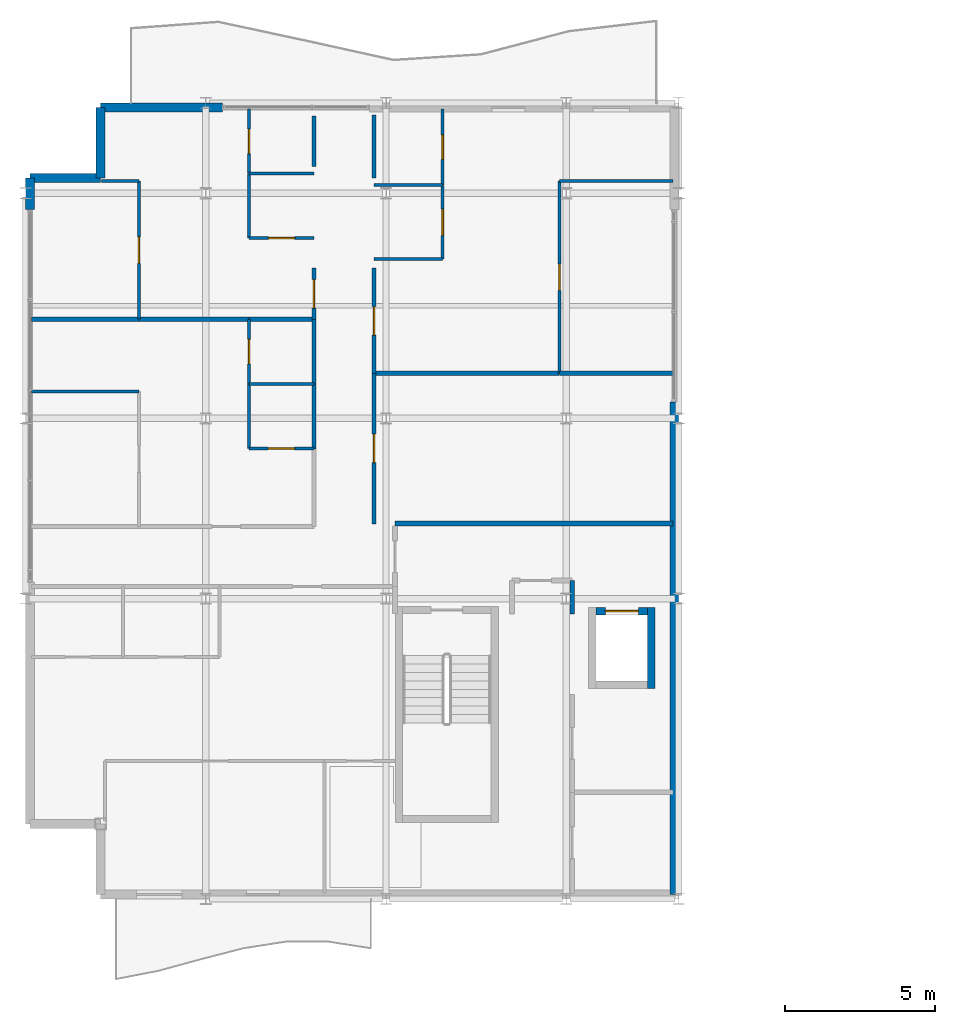
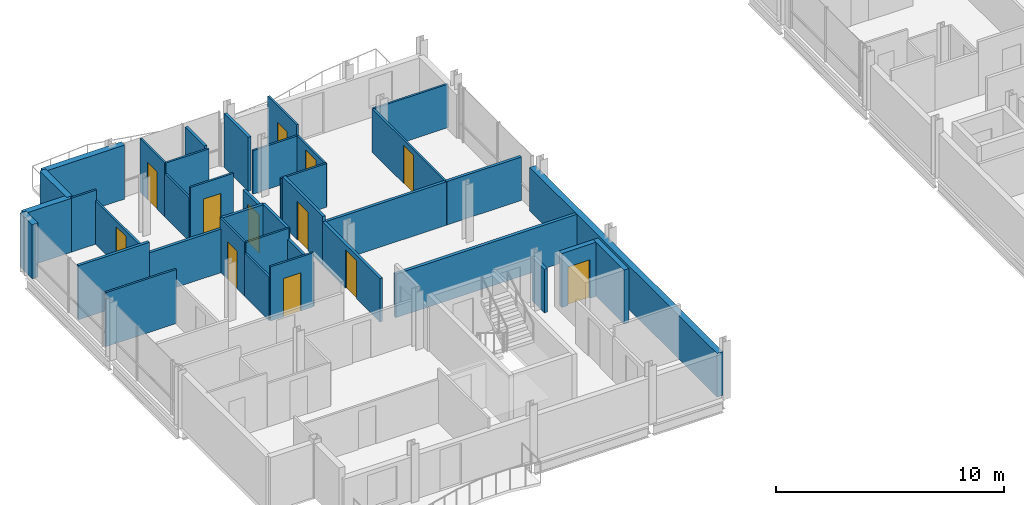
# One storey, part 24 of 29: 38 walls, 12 doors, 12 openings.
"""IFC4 building model written with IfcOpenShell, lengths in metres."""

import ifcopenshell
import ifcopenshell.guid

model = None  # the IFC model being written
_history = None  # IfcOwnerHistory: only IFC2X3 demands one
_inside = {}  # id of a spatial element -> (the spatial element, [elements in it])
_under = {}  # id of a project, library or spatial element -> (it, [spatial elements below it])
_declared = {}  # id of a project -> (the project, [libraries it declares])
_typed = {}  # id of a type object -> (the type object, [elements of that type])
_made_of = {}  # id of a material, layer set ... -> (it, [elements and type objects made of it])


def new_model(schema):
    """Start an empty IFC model of exactly this schema.

    Asked for "IFC4X3", IfcOpenShell would pick the latest addendum, in which some entities
    have other attributes; the version numbers below select the first issue.
    IFC2X3 requires an IfcOwnerHistory on every rooted entity: one is made here for all.
    """
    global model, _history
    if schema == "IFC4X3":
        model = ifcopenshell.file(schema_version=(4, 3, 0, 0))
    else:
        model = ifcopenshell.file(schema=schema)
    _inside.clear()
    _under.clear()
    _declared.clear()
    _typed.clear()
    _made_of.clear()
    _history = None
    if model.schema == "IFC2X3":
        org = make("IfcOrganization", Name="unknown")
        user = make(
            "IfcPersonAndOrganization",
            ThePerson=make("IfcPerson", FamilyName="unknown"),
            TheOrganization=org,
        )
        app = make(
            "IfcApplication",
            ApplicationDeveloper=org,
            Version="unknown",
            ApplicationFullName="unknown",
            ApplicationIdentifier="unknown",
        )
        _history = make(
            "IfcOwnerHistory",
            OwningUser=user,
            OwningApplication=app,
            ChangeAction="ADDED",
            CreationDate=0,
        )
    return model


def make(cls, **values):
    """One entity of the class cls with the attributes given. An attribute that is None is left unset."""
    return model.create_entity(
        cls, **{name: value for name, value in values.items() if value is not None}
    )


def rooted(cls, **values):
    """An entity with a GlobalId (a new one), such as an element, a storey or a relation."""
    return make(cls, GlobalId=ifcopenshell.guid.new(), OwnerHistory=_history, **values)


def si_unit(unit_type, name, prefix=None):
    """IfcSIUnit, for example si_unit("LENGTHUNIT", "METRE", prefix="MILLI")."""
    return make("IfcSIUnit", UnitType=unit_type, Prefix=prefix, Name=name)


def assignment(units):
    """IfcUnitAssignment: the units of a project."""
    return None if units is None else make("IfcUnitAssignment", Units=units)


def point(xyz):
    """IfcCartesianPoint."""
    return None if xyz is None else make("IfcCartesianPoint", Coordinates=xyz)


def direction(xyz):
    """IfcDirection."""
    return None if xyz is None else make("IfcDirection", DirectionRatios=xyz)


def frame(location, z_axis=None, x_axis=None):
    """IfcAxis2Placement3D, a coordinate frame: its origin and axes. An axis left out is left unset."""
    return make(
        "IfcAxis2Placement3D",
        Location=point(location),
        Axis=direction(z_axis),
        RefDirection=direction(x_axis),
    )


def frame_2d(location, x_axis=None):
    """IfcAxis2Placement2D, a coordinate frame in the plane: its origin and x axis."""
    return make(
        "IfcAxis2Placement2D", Location=point(location), RefDirection=direction(x_axis)
    )


def origin():
    """The frame at (0, 0, 0) with its axes left unset."""
    return frame((0.0, 0.0, 0.0))


def place(relative_to, where):
    """IfcLocalPlacement: puts the frame where relative to a parent placement (None: the world)."""
    return make(
        "IfcLocalPlacement", PlacementRelTo=relative_to, RelativePlacement=where
    )


def context(
    kind, dimensions, precision=None, world=None, true_north=None, identifier=None
):
    """IfcGeometricRepresentationContext, for example the 3D "Model" context."""
    return make(
        "IfcGeometricRepresentationContext",
        ContextIdentifier=identifier,
        ContextType=kind,
        CoordinateSpaceDimension=dimensions,
        Precision=precision,
        WorldCoordinateSystem=world,
        TrueNorth=true_north,
    )


def subcontext(parent, identifier, kind, view, scale=None):
    """IfcGeometricRepresentationSubContext, for example "Body" below "Model"."""
    return make(
        "IfcGeometricRepresentationSubContext",
        ContextIdentifier=identifier,
        ContextType=kind,
        ParentContext=parent,
        TargetScale=scale,
        TargetView=view,
    )


def project(units=None, contexts=None):
    """IfcProject with its units and contexts."""
    return rooted(
        "IfcProject",
        Name="project",
        RepresentationContexts=contexts,
        UnitsInContext=assignment(units),
    )


def spatial(cls, under=None, at=None, **own):
    """A site, building, storey or space (cls), placed at a placement, below another one or the project."""
    s = rooted(cls, ObjectPlacement=at, **own)
    if under is not None:
        _under.setdefault(under.id(), (under, []))[1].append(s)
    return s


def profile(cls, at=None, kind="AREA", **sizes):
    """A parametric profile (cls). Its sizes go by their IFC names, for example OverallWidth=200.0."""
    return make(cls, ProfileType=kind, Position=at, **sizes)


def rectangle(**sizes):
    """IfcRectangleProfileDef."""
    return profile("IfcRectangleProfileDef", **sizes)


def extrude(swept, where, along, depth):
    """IfcExtrudedAreaSolid: the profile swept, set in the frame where, extruded along a direction by depth."""
    return make(
        "IfcExtrudedAreaSolid",
        SweptArea=swept,
        Position=where,
        ExtrudedDirection=direction(along),
        Depth=depth,
    )


def shape(context_of_items, identifier, shape_type, items):
    """IfcShapeRepresentation: the items that make up one representation, for example the "Body"."""
    return make(
        "IfcShapeRepresentation",
        ContextOfItems=context_of_items,
        RepresentationIdentifier=identifier,
        RepresentationType=shape_type,
        Items=items,
    )


def material(Name=None, Category=None):
    """IfcMaterial."""
    return make("IfcMaterial", Name=Name, Category=Category)


def layer(
    of_material, thickness, ventilated=None, Name=None, Category=None, Priority=None
):
    """IfcMaterialLayer: one layer of a wall or slab, of a material (None: an air gap)."""
    return make(
        "IfcMaterialLayer",
        Material=of_material,
        LayerThickness=thickness,
        IsVentilated=ventilated,
        Name=Name,
        Category=Category,
        Priority=Priority,
    )


def layer_set(layers, Name=None):
    """IfcMaterialLayerSet."""
    return make("IfcMaterialLayerSet", MaterialLayers=layers, LayerSetName=Name)


def made_of(thing, what):
    """Note that an element or type object is made of a material, layer set ...; save() writes the relation."""
    if what is not None:
        _made_of.setdefault(what.id(), (what, []))[1].append(thing)
    return thing


def type_object(cls, material=None, **own):
    """A type object (cls), such as IfcWallType, which elements share."""
    return made_of(rooted(cls, **own), material)


def element(
    cls,
    number,
    at=None,
    inside=None,
    cuts=None,
    type_object=None,
    material=None,
    context=None,
    identifier="Body",
    shape_type=None,
    held_by="IfcProductDefinitionShape",
    body=None,
    shapes=None,
    **own,
):
    """One element of the class cls, such as IfcWall. Its Tag is "e" and its number.

    at: its placement. inside: the storey or other place that contains it. cuts: it is an
    opening in that element (IfcRelVoidsElement). A single representation is given by context,
    identifier, shape_type and body (its items); several are given by shapes. held_by: the class
    of the entity that holds the representations. save() writes the other relations.
    """
    e = rooted(cls, Tag="e%d" % number, ObjectPlacement=at, **own)
    if body is not None:
        shapes = [shape(context, identifier, shape_type, body)]
    if shapes is not None:
        e.Representation = make(held_by, Representations=shapes)
    if inside is not None:
        _inside.setdefault(inside.id(), (inside, []))[1].append(e)
    if cuts is not None:
        rooted(
            "IfcRelVoidsElement", RelatingBuildingElement=cuts, RelatedOpeningElement=e
        )
    if type_object is not None:
        _typed.setdefault(type_object.id(), (type_object, []))[1].append(e)
    return made_of(e, material)


def fill(opening, filler):
    """IfcRelFillsElement: the door or window that sits in an opening."""
    return rooted(
        "IfcRelFillsElement",
        RelatingOpeningElement=opening,
        RelatedBuildingElement=filler,
    )


def aggregate(whole, parts):
    """IfcRelAggregates: a whole, such as a stair, and the parts it consists of."""
    return rooted("IfcRelAggregates", RelatingObject=whole, RelatedObjects=parts)


def save(model, path):
    """Write the relations noted so far, then the file.

    IfcRelAggregates (storeys below a building ...), IfcRelContainedInSpatialStructure (elements
    in a storey), IfcRelDefinesByType, IfcRelAssociatesMaterial and IfcRelDeclares: one each for
    every whole, place, type object, material and project.
    """
    for whole, parts in _under.values():
        aggregate(whole, parts)
    for where, things in _inside.values():
        rooted(
            "IfcRelContainedInSpatialStructure",
            RelatedElements=things,
            RelatingStructure=where,
        )
    for kind, things in _typed.values():
        rooted("IfcRelDefinesByType", RelatedObjects=things, RelatingType=kind)
    for what, things in _made_of.values():
        rooted("IfcRelAssociatesMaterial", RelatedObjects=things, RelatingMaterial=what)
    for by, libraries in _declared.values():
        rooted("IfcRelDeclares", RelatingContext=by, RelatedDefinitions=libraries)
    model.write(path)


model = new_model("IFC4")

# Units and contexts
model_context = context("Model", 3, precision=1e-05, world=origin(), true_north=direction((0.0, 1.0)))
body_context = subcontext(model_context, "Body", "Model", "MODEL_VIEW")
ifc_project = project(units=[si_unit("LENGTHUNIT", "METRE"), si_unit("AREAUNIT", "SQUARE_METRE"), si_unit("VOLUMEUNIT", "CUBIC_METRE"), si_unit("PLANEANGLEUNIT", "RADIAN"), si_unit("MASSUNIT", "GRAM", prefix="KILO")], contexts=[model_context])

# Site, building, storey
site_placement = place(None, origin())
site = spatial("IfcSite", under=ifc_project, at=site_placement, CompositionType="ELEMENT")
building_placement = place(site_placement, origin())
building = spatial("IfcBuilding", under=site, at=building_placement, Name="Brevholm Reach", CompositionType="ELEMENT")
storey_placement = place(building_placement, frame((0.0, 0.0, 201.800048828125)))
storey = spatial("IfcBuildingStorey", under=building, at=storey_placement, Name="L61", CompositionType="ELEMENT", Elevation=201.800048828125)

# Wall
ifc_material_1 = material(Name="Concrete C45/55", Category="concrete")
ifc_layer_1 = layer(ifc_material_1, 0.239990234375)
ifc_layer_set_1 = layer_set([ifc_layer_1], Name="Concrete C45/55")
wall_type_1 = type_object("IfcWallType", Name="WAL-COR-240", PredefinedType="SHEAR", material=ifc_layer_set_1)
wall_1_placement = place(storey_placement, frame((20.830078125, 7.0, 0.0), z_axis=(0.0, 0.0, 1.0), x_axis=(0.0, 1.0, 0.0)))
element("IfcWall", 1, at=wall_1_placement, inside=storey, type_object=wall_type_1, Name="L61 Lift FFL-1 Shaft Wall E", PredefinedType="SHEAR", context=body_context, shape_type="SweptSolid", body=[
    extrude(rectangle(XDim=2.699951171875, YDim=0.239990234375, at=frame_2d((1.35009765625, 0.0))), origin(), (0.0, 0.0, 1.0), 2.889892578125),
])

# Wall, opening, door
wall_2_placement = place(storey_placement, frame((18.989990234375, 9.580078125, 0.0), z_axis=(0.0, 0.0, 1.0), x_axis=(1.0, 0.0, 0.0)))
wall_2 = element("IfcWall", 2, at=wall_2_placement, inside=storey, type_object=wall_type_1, Name="L61 Lift FFL-1 Shaft Wall N", PredefinedType="SHEAR", context=body_context, shape_type="SweptSolid", body=[
    extrude(rectangle(XDim=1.719970703125, YDim=0.239990234375, at=frame_2d((0.85986328125, 0.0))), origin(), (0.0, 0.0, 1.0), 2.889892578125),
])
opening_1_placement = place(wall_2_placement, frame((0.31005859375, 0.0, 0.0)))
opening_1 = element("IfcOpeningElement", 3, at=opening_1_placement, cuts=wall_2, Name="Opening LD-FFL-1", PredefinedType="OPENING", context=body_context, shape_type="SweptSolid", body=[
    extrude(rectangle(XDim=1.10009765625, YDim=2.06005859375, at=frame_2d((0.550048828125, 1.030029296875))), frame((0.0, 0.1298828125, 0.0), z_axis=(0.0, -1.0, 0.0), x_axis=(1.0, 0.0, 0.0)), (0.0, 0.0, 1.0), 0.260009765625),
])
ifc_material_2 = material(Name="Brushed Stainless Steel Fire-Rated Sliding Lift Door", Category="steel")
door_type_1 = type_object("IfcDoorType", Name="DOR-LFT-1100", OperationType="NOTDEFINED", PredefinedType="DOOR", material=ifc_material_2)
door_1_placement = place(opening_1_placement, origin())
door_1 = element("IfcDoor", 4, at=door_1_placement, inside=storey, type_object=door_type_1, Name="L61 Lift FFL-1 Sliding Landing Door", OperationType="SLIDING_TO_LEFT", OverallHeight=2.06005859375, OverallWidth=1.10009765625, PredefinedType="DOOR", context=body_context, shape_type="SweptSolid", body=[
    extrude(rectangle(XDim=1.10009765625, YDim=2.06005859375, at=frame_2d((0.550048828125, 1.030029296875))), frame((0.0, 0.02490234375, 0.0), z_axis=(0.0, -1.0, 0.0), x_axis=(1.0, 0.0, 0.0)), (0.0, 0.0, 1.0), 0.050048828125),
])
fill(opening_1, door_1)

# Walls
ifc_material_3 = material(Name="Concrete C40/50", Category="concrete")
ifc_layer_2 = layer(ifc_material_3, 0.300048828125)
ifc_layer_set_2 = layer_set([ifc_layer_2], Name="Concrete C40/50")
wall_type_2 = type_object("IfcWallType", Name="WAL-EXT-300", PredefinedType="STANDARD", material=ifc_layer_set_2)
for number, where, z_axis, x_axis, name in (
    (5, (2.5, 26.35009765625, 0.0), (0.0, 0.0, 1.0), (0.0, -1.0, 0.0), "L61 Facade Wall WAL-L61-WW-CNW1"),
    (6, (2.5, 24.0, 0.0), (0.0, 0.0, 1.0), (-1.0, 0.0, 0.0), "L61 Facade Wall WAL-L61-WW-CNW2"),
):
    element("IfcWall", number, at=place(storey_placement, frame(where, z_axis=z_axis, x_axis=x_axis)), inside=storey, type_object=wall_type_2, Name=name, PredefinedType="STANDARD", context=body_context, shape_type="SweptSolid", body=[
        extrude(rectangle(XDim=2.35009765625, YDim=0.300048828125, at=frame_2d((1.175048828125, 0.0))), origin(), (0.0, 0.0, 1.0), 2.889892578125),
    ])
wall_3_placement = place(storey_placement, frame((0.14990234375, 24.0, 0.0), z_axis=(0.0, 0.0, 1.0), x_axis=(0.0, -1.0, 0.0)))
element("IfcWall", 7, at=wall_3_placement, inside=storey, type_object=wall_type_2, Name="L61 Facade Wall WAL-L61-WW-WN", PredefinedType="STANDARD", context=body_context, shape_type="SweptSolid", body=[
    extrude(rectangle(XDim=1.050048828125, YDim=0.300048828125, at=frame_2d((0.52490234375, 0.0))), origin(), (0.0, 0.0, 1.0), 2.889892578125),
])
wall_4_placement = place(storey_placement, frame((2.5, 26.35009765625, 0.0), z_axis=(0.0, 0.0, 1.0), x_axis=(1.0, 0.0, 0.0)))
element("IfcWall", 8, at=wall_4_placement, inside=storey, type_object=wall_type_2, Name="L61 Facade Wall WAL-L61-WW-NP1", PredefinedType="STANDARD", context=body_context, shape_type="SweptSolid", body=[
    extrude(rectangle(XDim=4.050048828125, YDim=0.300048828125, at=frame_2d((2.02490234375, 0.0))), origin(), (0.0, 0.0, 1.0), 2.889892578125),
])
wall_5_placement = place(storey_placement, frame((21.60009765625, 0.14990234375, 0.0), z_axis=(0.0, 0.0, 1.0), x_axis=(0.0, 1.0, 0.0)))
element("IfcWall", 9, at=wall_5_placement, inside=storey, type_object=wall_type_2, Name="L61 Facade Wall WAL-L61-VP-WS", PredefinedType="STANDARD", context=body_context, shape_type="SweptSolid", body=[
    extrude(rectangle(XDim=16.400146484375, YDim=0.300048828125, at=frame_2d((8.2001953125, 0.0))), origin(), (0.0, 0.0, 1.0), 2.331787109375),
])
ifc_material_4 = material(Name="Moisture-Resistant Acoustic Gypsum Stud Partition 100 mm", Category="gypsum")
ifc_layer_3 = layer(ifc_material_4, 0.10009765625)
ifc_layer_set_3 = layer_set([ifc_layer_3], Name="Moisture-Resistant Acoustic Gypsum Stud Partition 100 mm")
wall_type_3 = type_object("IfcWallType", Name="WAL-PRT-100", PredefinedType="PARTITIONING", material=ifc_layer_set_3)
wall_6_placement = place(storey_placement, frame((7.43798828125, 17.14990234375, 0.0), z_axis=(0.0, 0.0, 1.0), x_axis=(1.0, 0.0, 0.0)))
element("IfcWall", 10, at=wall_6_placement, inside=storey, type_object=wall_type_3, Name="L61 Internal Partition 047", PredefinedType="PARTITIONING", context=body_context, shape_type="SweptSolid", body=[
    extrude(rectangle(XDim=2.157958984375, YDim=0.10009765625, at=frame_2d((1.0791015625, 0.0))), origin(), (0.0, 0.0, 1.0), 2.889892578125),
])

# Wall, opening, door
wall_7_placement = place(storey_placement, frame((7.43798828125, 17.14990234375, 0.0), z_axis=(0.0, 0.0, 1.0), x_axis=(0.0, 1.0, 0.0)))
wall_7 = element("IfcWall", 11, at=wall_7_placement, inside=storey, type_object=wall_type_3, Name="L61 Internal Partition 048", PredefinedType="PARTITIONING", context=body_context, shape_type="SweptSolid", body=[
    extrude(rectangle(XDim=2.150146484375, YDim=0.10009765625, at=frame_2d((1.0751953125, 0.0))), origin(), (0.0, 0.0, 1.0), 2.889892578125),
])
opening_2_placement = place(wall_7_placement, frame((0.6650390625, 0.0, 0.0)))
opening_2 = element("IfcOpeningElement", 12, at=opening_2_placement, cuts=wall_7, Name="Opening ID-03", PredefinedType="OPENING", context=body_context, shape_type="SweptSolid", body=[
    extrude(rectangle(XDim=0.820068359375, YDim=2.02001953125, at=frame_2d((0.41015625, 1.010009765625))), frame((0.0, 0.06005859375, 0.0), z_axis=(0.0, -1.0, 0.0), x_axis=(1.0, 0.0, 0.0)), (0.0, 0.0, 1.0), 0.1201171875),
])
ifc_material_5 = material(Name="Moisture-Resistant Painted Timber Internal Bathroom Door", Category="wood")
door_type_2 = type_object("IfcDoorType", Name="DOR-BATH-820", OperationType="NOTDEFINED", PredefinedType="DOOR", material=ifc_material_5)
door_2_placement = place(opening_2_placement, origin())
door_2 = element("IfcDoor", 13, at=door_2_placement, inside=storey, type_object=door_type_2, Name="L61 Internal Door 023", OperationType="SINGLE_SWING_RIGHT", OverallHeight=2.02001953125, OverallWidth=0.820068359375, PredefinedType="DOOR", context=body_context, shape_type="SweptSolid", body=[
    extrude(rectangle(XDim=0.820068359375, YDim=2.02001953125, at=frame_2d((0.41015625, 1.010009765625))), frame((0.0, 0.02490234375, 0.0), z_axis=(0.0, -1.0, 0.0), x_axis=(1.0, 0.0, 0.0)), (0.0, 0.0, 1.0), 0.050048828125),
])
fill(opening_2, door_2)

wall_8_placement = place(storey_placement, frame((7.43798828125, 15.0, 0.0), z_axis=(0.0, 0.0, 1.0), x_axis=(1.0, 0.0, 0.0)))
wall_8 = element("IfcWall", 14, at=wall_8_placement, inside=storey, type_object=wall_type_3, Name="L61 Internal Partition 050", PredefinedType="PARTITIONING", context=body_context, shape_type="SweptSolid", body=[
    extrude(rectangle(XDim=2.157958984375, YDim=0.10009765625, at=frame_2d((1.0791015625, 0.0))), origin(), (0.0, 0.0, 1.0), 2.889892578125),
])
opening_3_placement = place(wall_8_placement, frame((0.638916015625, 0.0, 0.0)))
opening_3 = element("IfcOpeningElement", 15, at=opening_3_placement, cuts=wall_8, Name="Opening ID-01", PredefinedType="OPENING", context=body_context, shape_type="SweptSolid", body=[
    extrude(rectangle(XDim=0.8798828125, YDim=2.0400390625, at=frame_2d((0.43994140625, 1.02001953125))), frame((0.0, 0.06005859375, 0.0), z_axis=(0.0, -1.0, 0.0), x_axis=(1.0, 0.0, 0.0)), (0.0, 0.0, 1.0), 0.1201171875),
])
ifc_material_6 = material(Name="Lacquered Ash Solid-Core Acoustic Internal Door", Category="timber")
door_type_3 = type_object("IfcDoorType", Name="DOR-INT-880", OperationType="NOTDEFINED", PredefinedType="DOOR", material=ifc_material_6)
door_3_placement = place(opening_3_placement, origin())
door_3 = element("IfcDoor", 16, at=door_3_placement, inside=storey, type_object=door_type_3, Name="L61 Internal Door 024", OperationType="SINGLE_SWING_LEFT", OverallHeight=2.0400390625, OverallWidth=0.8798828125, PredefinedType="DOOR", context=body_context, shape_type="SweptSolid", body=[
    extrude(rectangle(XDim=0.8798828125, YDim=2.0400390625, at=frame_2d((0.43994140625, 1.02001953125))), frame((0.0, 0.02490234375, 0.0), z_axis=(0.0, -1.0, 0.0), x_axis=(1.0, 0.0, 0.0)), (0.0, 0.0, 1.0), 0.050048828125),
])
fill(opening_3, door_3)

# Walls
wall_9_placement = place(storey_placement, frame((7.43798828125, 15.0, 0.0), z_axis=(0.0, 0.0, 1.0), x_axis=(0.0, 1.0, 0.0)))
element("IfcWall", 17, at=wall_9_placement, inside=storey, type_object=wall_type_3, Name="L61 Internal Partition 051", PredefinedType="PARTITIONING", context=body_context, shape_type="SweptSolid", body=[
    extrude(rectangle(XDim=2.14599609375, YDim=0.10009765625, at=frame_2d((1.072998046875, 0.0))), origin(), (0.0, 0.0, 1.0), 2.325439453125),
])
wall_10_placement = place(storey_placement, frame((0.199951171875, 16.89990234375, 0.0), z_axis=(0.0, 0.0, 1.0), x_axis=(1.0, 0.0, 0.0)))
element("IfcWall", 18, at=wall_10_placement, inside=storey, type_object=wall_type_3, Name="L61 Internal Partition 053", PredefinedType="PARTITIONING", context=body_context, shape_type="SweptSolid", body=[
    extrude(rectangle(XDim=3.572021484375, YDim=0.10009765625, at=frame_2d((1.7861328125, 0.0))), origin(), (0.0, 0.0, 1.0), 2.889892578125),
])
wall_11_placement = place(storey_placement, frame((7.43798828125, 24.14990234375, 0.0), z_axis=(0.0, 0.0, 1.0), x_axis=(1.0, 0.0, 0.0)))
element("IfcWall", 19, at=wall_11_placement, inside=storey, type_object=wall_type_3, Name="L61 Internal Partition 056", PredefinedType="PARTITIONING", context=body_context, shape_type="SweptSolid", body=[
    extrude(rectangle(XDim=2.162109375, YDim=0.10009765625, at=frame_2d((1.0810546875, 0.0))), origin(), (0.0, 0.0, 1.0), 2.889892578125),
])

# Wall, opening, door
wall_12_placement = place(storey_placement, frame((7.43798828125, 24.14990234375, 0.0), z_axis=(0.0, 0.0, 1.0), x_axis=(0.0, 1.0, 0.0)))
wall_12 = element("IfcWall", 20, at=wall_12_placement, inside=storey, type_object=wall_type_3, Name="L61 Internal Partition 057", PredefinedType="PARTITIONING", context=body_context, shape_type="SweptSolid", body=[
    extrude(rectangle(XDim=2.150146484375, YDim=0.10009765625, at=frame_2d((1.0751953125, 0.0))), origin(), (0.0, 0.0, 1.0), 2.889892578125),
])
opening_4_placement = place(wall_12_placement, frame((0.6650390625, 0.0, 0.0)))
opening_4 = element("IfcOpeningElement", 21, at=opening_4_placement, cuts=wall_12, Name="Opening ID-03", PredefinedType="OPENING", context=body_context, shape_type="SweptSolid", body=[
    extrude(rectangle(XDim=0.820068359375, YDim=2.02001953125, at=frame_2d((0.41015625, 1.010009765625))), frame((0.0, 0.06005859375, 0.0), z_axis=(0.0, -1.0, 0.0), x_axis=(1.0, 0.0, 0.0)), (0.0, 0.0, 1.0), 0.1201171875),
])
door_4_placement = place(opening_4_placement, origin())
door_4 = element("IfcDoor", 22, at=door_4_placement, inside=storey, type_object=door_type_2, Name="L61 Internal Door 026", OperationType="SINGLE_SWING_LEFT", OverallHeight=2.02001953125, OverallWidth=0.820068359375, PredefinedType="DOOR", context=body_context, shape_type="SweptSolid", body=[
    extrude(rectangle(XDim=0.820068359375, YDim=2.02001953125, at=frame_2d((0.41015625, 1.010009765625))), frame((0.0, 0.02490234375, 0.0), z_axis=(0.0, -1.0, 0.0), x_axis=(1.0, 0.0, 0.0)), (0.0, 0.0, 1.0), 0.050048828125),
])
fill(opening_4, door_4)

wall_13_placement = place(storey_placement, frame((7.43798828125, 22.0, 0.0), z_axis=(0.0, 0.0, 1.0), x_axis=(1.0, 0.0, 0.0)))
wall_13 = element("IfcWall", 23, at=wall_13_placement, inside=storey, type_object=wall_type_3, Name="L61 Internal Partition 058", PredefinedType="PARTITIONING", context=body_context, shape_type="SweptSolid", body=[
    extrude(rectangle(XDim=2.162109375, YDim=0.10009765625, at=frame_2d((1.0810546875, 0.0))), origin(), (0.0, 0.0, 1.0), 2.889892578125),
])
opening_5_placement = place(wall_13_placement, frame((0.64111328125, 0.0, 0.0)))
opening_5 = element("IfcOpeningElement", 24, at=opening_5_placement, cuts=wall_13, Name="Opening ID-01", PredefinedType="OPENING", context=body_context, shape_type="SweptSolid", body=[
    extrude(rectangle(XDim=0.8798828125, YDim=2.0400390625, at=frame_2d((0.43994140625, 1.02001953125))), frame((0.0, 0.06005859375, 0.0), z_axis=(0.0, -1.0, 0.0), x_axis=(1.0, 0.0, 0.0)), (0.0, 0.0, 1.0), 0.1201171875),
])
door_5_placement = place(opening_5_placement, origin())
door_5 = element("IfcDoor", 25, at=door_5_placement, inside=storey, type_object=door_type_3, Name="L61 Internal Door 027", OperationType="SINGLE_SWING_RIGHT", OverallHeight=2.0400390625, OverallWidth=0.8798828125, PredefinedType="DOOR", context=body_context, shape_type="SweptSolid", body=[
    extrude(rectangle(XDim=0.8798828125, YDim=2.0400390625, at=frame_2d((0.43994140625, 1.02001953125))), frame((0.0, 0.02490234375, 0.0), z_axis=(0.0, -1.0, 0.0), x_axis=(1.0, 0.0, 0.0)), (0.0, 0.0, 1.0), 0.050048828125),
])
fill(opening_5, door_5)

# Walls
wall_14_placement = place(storey_placement, frame((7.43798828125, 22.0, 0.0), z_axis=(0.0, 0.0, 1.0), x_axis=(0.0, 1.0, 0.0)))
element("IfcWall", 26, at=wall_14_placement, inside=storey, type_object=wall_type_3, Name="L61 Internal Partition 059", PredefinedType="PARTITIONING", context=body_context, shape_type="SweptSolid", body=[
    extrude(rectangle(XDim=2.14599609375, YDim=0.10009765625, at=frame_2d((1.072998046875, 0.0))), origin(), (0.0, 0.0, 1.0), 2.325439453125),
])
wall_15_placement = place(storey_placement, frame((2.52001953125, 23.89990234375, 0.0), z_axis=(0.0, 0.0, 1.0), x_axis=(1.0, 0.0, 0.0)))
element("IfcWall", 27, at=wall_15_placement, inside=storey, type_object=wall_type_3, Name="L61 Internal Partition 060", PredefinedType="PARTITIONING", context=body_context, shape_type="SweptSolid", body=[
    extrude(rectangle(XDim=1.251953125, YDim=0.10009765625, at=frame_2d((0.6259765625, 0.0))), origin(), (0.0, 0.0, 1.0), 2.889892578125),
])

# Wall, opening, door
wall_16_placement = place(storey_placement, frame((3.77197265625, 19.303955078125, 0.0), z_axis=(0.0, 0.0, 1.0), x_axis=(0.0, 1.0, 0.0)))
wall_16 = element("IfcWall", 28, at=wall_16_placement, inside=storey, type_object=wall_type_3, Name="L61 Internal Partition 061", PredefinedType="PARTITIONING", context=body_context, shape_type="SweptSolid", body=[
    extrude(rectangle(XDim=4.595947265625, YDim=0.10009765625, at=frame_2d((2.2978515625, 0.0))), origin(), (0.0, 0.0, 1.0), 2.325439453125),
])
opening_6_placement = place(wall_16_placement, frame((1.85791015625, 0.0, 0.0)))
opening_6 = element("IfcOpeningElement", 29, at=opening_6_placement, cuts=wall_16, Name="Opening ID-01", PredefinedType="OPENING", context=body_context, shape_type="SweptSolid", body=[
    extrude(rectangle(XDim=0.8798828125, YDim=2.0400390625, at=frame_2d((0.43994140625, 1.02001953125))), frame((0.0, 0.06005859375, 0.0), z_axis=(0.0, -1.0, 0.0), x_axis=(1.0, 0.0, 0.0)), (0.0, 0.0, 1.0), 0.1201171875),
])
door_6_placement = place(opening_6_placement, origin())
door_6 = element("IfcDoor", 30, at=door_6_placement, inside=storey, type_object=door_type_3, Name="L61 Internal Door 028", OperationType="SINGLE_SWING_LEFT", OverallHeight=2.0400390625, OverallWidth=0.8798828125, PredefinedType="DOOR", context=body_context, shape_type="SweptSolid", body=[
    extrude(rectangle(XDim=0.8798828125, YDim=2.0400390625, at=frame_2d((0.43994140625, 1.02001953125))), frame((0.0, 0.02490234375, 0.0), z_axis=(0.0, -1.0, 0.0), x_axis=(1.0, 0.0, 0.0)), (0.0, 0.0, 1.0), 0.050048828125),
])
fill(opening_6, door_6)

# Wall
wall_17_placement = place(storey_placement, frame((11.60009765625, 23.763916015625, 0.0), z_axis=(0.0, 0.0, 1.0), x_axis=(1.0, 0.0, 0.0)))
element("IfcWall", 31, at=wall_17_placement, inside=storey, type_object=wall_type_3, Name="L61 Internal Partition 062", PredefinedType="PARTITIONING", context=body_context, shape_type="SweptSolid", body=[
    extrude(rectangle(XDim=2.288818359375, YDim=0.10009765625, at=frame_2d((1.14453125, 0.0))), origin(), (0.0, 0.0, 1.0), 2.325439453125),
])

# Wall, opening, door
wall_18_placement = place(storey_placement, frame((13.888916015625, 23.763916015625, 0.0), z_axis=(0.0, 0.0, 1.0), x_axis=(0.0, 1.0, 0.0)))
wall_18 = element("IfcWall", 32, at=wall_18_placement, inside=storey, type_object=wall_type_3, Name="L61 Internal Partition 063", PredefinedType="PARTITIONING", context=body_context, shape_type="SweptSolid", body=[
    extrude(rectangle(XDim=2.5361328125, YDim=0.10009765625, at=frame_2d((1.26806640625, 0.0))), origin(), (0.0, 0.0, 1.0), 2.889892578125),
])
opening_7_placement = place(wall_18_placement, frame((0.85791015625, 0.0, 0.0)))
opening_7 = element("IfcOpeningElement", 33, at=opening_7_placement, cuts=wall_18, Name="Opening ID-03", PredefinedType="OPENING", context=body_context, shape_type="SweptSolid", body=[
    extrude(rectangle(XDim=0.820068359375, YDim=2.02001953125, at=frame_2d((0.41015625, 1.010009765625))), frame((0.0, 0.06005859375, 0.0), z_axis=(0.0, -1.0, 0.0), x_axis=(1.0, 0.0, 0.0)), (0.0, 0.0, 1.0), 0.1201171875),
])
door_7_placement = place(opening_7_placement, origin())
door_7 = element("IfcDoor", 34, at=door_7_placement, inside=storey, type_object=door_type_2, Name="L61 Internal Door 029", OperationType="SINGLE_SWING_RIGHT", OverallHeight=2.02001953125, OverallWidth=0.820068359375, PredefinedType="DOOR", context=body_context, shape_type="SweptSolid", body=[
    extrude(rectangle(XDim=0.820068359375, YDim=2.02001953125, at=frame_2d((0.41015625, 1.010009765625))), frame((0.0, 0.02490234375, 0.0), z_axis=(0.0, -1.0, 0.0), x_axis=(1.0, 0.0, 0.0)), (0.0, 0.0, 1.0), 0.050048828125),
])
fill(opening_7, door_7)

# Wall
wall_19_placement = place(storey_placement, frame((11.60009765625, 21.300048828125, 0.0), z_axis=(0.0, 0.0, 1.0), x_axis=(1.0, 0.0, 0.0)))
element("IfcWall", 35, at=wall_19_placement, inside=storey, type_object=wall_type_3, Name="L61 Internal Partition 064", PredefinedType="PARTITIONING", context=body_context, shape_type="SweptSolid", body=[
    extrude(rectangle(XDim=2.288818359375, YDim=0.10009765625, at=frame_2d((1.14453125, 0.0))), origin(), (0.0, 0.0, 1.0), 2.325439453125),
])

# Wall, opening, door
wall_20_placement = place(storey_placement, frame((13.888916015625, 21.300048828125, 0.0), z_axis=(0.0, 0.0, 1.0), x_axis=(0.0, 1.0, 0.0)))
wall_20 = element("IfcWall", 36, at=wall_20_placement, inside=storey, type_object=wall_type_3, Name="L61 Internal Partition 065", PredefinedType="PARTITIONING", context=body_context, shape_type="SweptSolid", body=[
    extrude(rectangle(XDim=2.4599609375, YDim=0.10009765625, at=frame_2d((1.22998046875, 0.0))), origin(), (0.0, 0.0, 1.0), 2.325439453125),
])
opening_8_placement = place(wall_20_placement, frame((0.7900390625, 0.0, 0.0)))
opening_8 = element("IfcOpeningElement", 37, at=opening_8_placement, cuts=wall_20, Name="Opening ID-01", PredefinedType="OPENING", context=body_context, shape_type="SweptSolid", body=[
    extrude(rectangle(XDim=0.8798828125, YDim=2.0400390625, at=frame_2d((0.43994140625, 1.02001953125))), frame((0.0, 0.06005859375, 0.0), z_axis=(0.0, -1.0, 0.0), x_axis=(1.0, 0.0, 0.0)), (0.0, 0.0, 1.0), 0.1201171875),
])
door_8_placement = place(opening_8_placement, origin())
door_8 = element("IfcDoor", 38, at=door_8_placement, inside=storey, type_object=door_type_3, Name="L61 Internal Door 030", OperationType="SINGLE_SWING_LEFT", OverallHeight=2.0400390625, OverallWidth=0.8798828125, PredefinedType="DOOR", context=body_context, shape_type="SweptSolid", body=[
    extrude(rectangle(XDim=0.8798828125, YDim=2.0400390625, at=frame_2d((0.43994140625, 1.02001953125))), frame((0.0, 0.02490234375, 0.0), z_axis=(0.0, -1.0, 0.0), x_axis=(1.0, 0.0, 0.0)), (0.0, 0.0, 1.0), 0.050048828125),
])
fill(opening_8, door_8)

# Wall
wall_21_placement = place(storey_placement, frame((17.76904296875, 23.89990234375, 0.0), z_axis=(0.0, 0.0, 1.0), x_axis=(1.0, 0.0, 0.0)))
element("IfcWall", 39, at=wall_21_placement, inside=storey, type_object=wall_type_3, Name="L61 Internal Partition 066", PredefinedType="PARTITIONING", context=body_context, shape_type="SweptSolid", body=[
    extrude(rectangle(XDim=3.781005859375, YDim=0.10009765625, at=frame_2d((1.890625, 0.0))), origin(), (0.0, 0.0, 1.0), 2.325439453125),
])

# Wall, opening, door
wall_22_placement = place(storey_placement, frame((17.76904296875, 17.5, 0.0), z_axis=(0.0, 0.0, 1.0), x_axis=(0.0, 1.0, 0.0)))
wall_22 = element("IfcWall", 40, at=wall_22_placement, inside=storey, type_object=wall_type_3, Name="L61 Internal Partition 067", PredefinedType="PARTITIONING", context=body_context, shape_type="SweptSolid", body=[
    extrude(rectangle(XDim=6.39990234375, YDim=0.10009765625, at=frame_2d((3.199951171875, 0.0))), origin(), (0.0, 0.0, 1.0), 2.325439453125),
])
opening_9_placement = place(wall_22_placement, frame((2.760009765625, 0.0, 0.0)))
opening_9 = element("IfcOpeningElement", 41, at=opening_9_placement, cuts=wall_22, Name="Opening ID-01", PredefinedType="OPENING", context=body_context, shape_type="SweptSolid", body=[
    extrude(rectangle(XDim=0.8798828125, YDim=2.0400390625, at=frame_2d((0.43994140625, 1.02001953125))), frame((0.0, 0.06005859375, 0.0), z_axis=(0.0, -1.0, 0.0), x_axis=(1.0, 0.0, 0.0)), (0.0, 0.0, 1.0), 0.1201171875),
])
door_9_placement = place(opening_9_placement, origin())
door_9 = element("IfcDoor", 42, at=door_9_placement, inside=storey, type_object=door_type_3, Name="L61 Internal Door 031", OperationType="SINGLE_SWING_RIGHT", OverallHeight=2.0400390625, OverallWidth=0.8798828125, PredefinedType="DOOR", context=body_context, shape_type="SweptSolid", body=[
    extrude(rectangle(XDim=0.8798828125, YDim=2.0400390625, at=frame_2d((0.43994140625, 1.02001953125))), frame((0.0, 0.02490234375, 0.0), z_axis=(0.0, -1.0, 0.0), x_axis=(1.0, 0.0, 0.0)), (0.0, 0.0, 1.0), 0.050048828125),
])
fill(opening_9, door_9)

# Walls
ifc_material_7 = material(Name="Twin-Stud Acoustic Fire-Rated Gypsum Partition 140 mm", Category="gypsum")
ifc_layer_4 = layer(ifc_material_7, 0.139892578125)
ifc_layer_set_4 = layer_set([ifc_layer_4], Name="Twin-Stud Acoustic Fire-Rated Gypsum Partition 140 mm")
wall_type_4 = type_object("IfcWallType", Name="WAL-PRT-140", PredefinedType="PARTITIONING", material=ifc_layer_set_4)
wall_23_placement = place(storey_placement, frame((9.60009765625, 17.138671875, 0.0), z_axis=(0.0, 0.0, 1.0), x_axis=(0.0, 1.0, 0.0)))
element("IfcWall", 43, at=wall_23_placement, inside=storey, type_object=wall_type_4, Name="L61 Internal Partition 021", PredefinedType="PARTITIONING", context=body_context, shape_type="SweptSolid", body=[
    extrude(rectangle(XDim=2.172607421875, YDim=0.139892578125, at=frame_2d((1.08642578125, 0.0))), origin(), (0.0, 0.0, 1.0), 2.889892578125),
])
wall_24_placement = place(storey_placement, frame((9.60009765625, 14.98876953125, 0.0), z_axis=(0.0, 0.0, 1.0), x_axis=(0.0, 1.0, 0.0)))
element("IfcWall", 44, at=wall_24_placement, inside=storey, type_object=wall_type_4, Name="L61 Internal Partition 022", PredefinedType="PARTITIONING", context=body_context, shape_type="SweptSolid", body=[
    extrude(rectangle(XDim=2.16845703125, YDim=0.139892578125, at=frame_2d((1.084228515625, 0.0))), origin(), (0.0, 0.0, 1.0), 2.325439453125),
])

# Wall, opening, door
wall_25_placement = place(storey_placement, frame((9.60009765625, 19.292724609375, 0.0), z_axis=(0.0, 0.0, 1.0), x_axis=(0.0, 1.0, 0.0)))
wall_25 = element("IfcWall", 45, at=wall_25_placement, inside=storey, type_object=wall_type_4, Name="L61 Internal Partition 024", PredefinedType="PARTITIONING", context=body_context, shape_type="SweptSolid", body=[
    extrude(rectangle(XDim=1.707275390625, YDim=0.139892578125, at=frame_2d((0.853515625, 0.0))), origin(), (0.0, 0.0, 1.0), 2.613525390625),
])
opening_10_placement = place(wall_25_placement, frame((0.378662109375, 0.0, 0.0)))
opening_10 = element("IfcOpeningElement", 46, at=opening_10_placement, cuts=wall_25, Name="Opening ID-30", PredefinedType="OPENING", context=body_context, shape_type="SweptSolid", body=[
    extrude(rectangle(XDim=0.949951171875, YDim=2.050048828125, at=frame_2d((0.47509765625, 1.02490234375))), frame((0.0, 0.079833984375, 0.0), z_axis=(0.0, -1.0, 0.0), x_axis=(1.0, 0.0, 0.0)), (0.0, 0.0, 1.0), 0.159912109375),
])
ifc_material_8 = material(Name="European Oak Veneered Solid-Core Fire Entrance Door", Category="timber")
door_type_4 = type_object("IfcDoorType", Name="DOR-FLT-FD30S", OperationType="NOTDEFINED", PredefinedType="DOOR", material=ifc_material_8)
door_10_placement = place(opening_10_placement, origin())
door_10 = element("IfcDoor", 47, at=door_10_placement, inside=storey, type_object=door_type_4, Name="L61 Internal Door 011", OperationType="SINGLE_SWING_RIGHT", OverallHeight=2.050048828125, OverallWidth=0.949951171875, PredefinedType="DOOR", context=body_context, shape_type="SweptSolid", body=[
    extrude(rectangle(XDim=0.949951171875, YDim=2.050048828125, at=frame_2d((0.47509765625, 1.02490234375))), frame((0.0, 0.02490234375, 0.0), z_axis=(0.0, -1.0, 0.0), x_axis=(1.0, 0.0, 0.0)), (0.0, 0.0, 1.0), 0.050048828125),
])
fill(opening_10, door_10)

wall_26_placement = place(storey_placement, frame((11.60009765625, 17.48876953125, 0.0), z_axis=(0.0, 0.0, 1.0), x_axis=(0.0, 1.0, 0.0)))
wall_26 = element("IfcWall", 48, at=wall_26_placement, inside=storey, type_object=wall_type_4, Name="L61 Internal Partition 025", PredefinedType="PARTITIONING", context=body_context, shape_type="SweptSolid", body=[
    extrude(rectangle(XDim=3.51123046875, YDim=0.139892578125, at=frame_2d((1.755615234375, 0.0))), origin(), (0.0, 0.0, 1.0), 2.613525390625),
])
opening_11_placement = place(wall_26_placement, frame((1.280517578125, 0.0, 0.0)))
opening_11 = element("IfcOpeningElement", 49, at=opening_11_placement, cuts=wall_26, Name="Opening ID-30", PredefinedType="OPENING", context=body_context, shape_type="SweptSolid", body=[
    extrude(rectangle(XDim=0.949951171875, YDim=2.050048828125, at=frame_2d((0.47509765625, 1.02490234375))), frame((0.0, 0.079833984375, 0.0), z_axis=(0.0, -1.0, 0.0), x_axis=(1.0, 0.0, 0.0)), (0.0, 0.0, 1.0), 0.159912109375),
])
door_11_placement = place(opening_11_placement, origin())
door_11 = element("IfcDoor", 50, at=door_11_placement, inside=storey, type_object=door_type_4, Name="L61 Internal Door 012", OperationType="SINGLE_SWING_LEFT", OverallHeight=2.050048828125, OverallWidth=0.949951171875, PredefinedType="DOOR", context=body_context, shape_type="SweptSolid", body=[
    extrude(rectangle(XDim=0.949951171875, YDim=2.050048828125, at=frame_2d((0.47509765625, 1.02490234375))), frame((0.0, 0.02490234375, 0.0), z_axis=(0.0, -1.0, 0.0), x_axis=(1.0, 0.0, 0.0)), (0.0, 0.0, 1.0), 0.050048828125),
])
fill(opening_11, door_11)

wall_27_placement = place(storey_placement, frame((11.60009765625, 12.48876953125, 0.0), z_axis=(0.0, 0.0, 1.0), x_axis=(0.0, 1.0, 0.0)))
wall_27 = element("IfcWall", 51, at=wall_27_placement, inside=storey, type_object=wall_type_4, Name="L61 Internal Partition 026", PredefinedType="PARTITIONING", context=body_context, shape_type="SweptSolid", body=[
    extrude(rectangle(XDim=5.0185546875, YDim=0.139892578125, at=frame_2d((2.50927734375, 0.0))), origin(), (0.0, 0.0, 1.0), 2.325439453125),
])
opening_12_placement = place(wall_27_placement, frame((2.0341796875, 0.0, 0.0)))
opening_12 = element("IfcOpeningElement", 52, at=opening_12_placement, cuts=wall_27, Name="Opening ID-30", PredefinedType="OPENING", context=body_context, shape_type="SweptSolid", body=[
    extrude(rectangle(XDim=0.949951171875, YDim=2.050048828125, at=frame_2d((0.47509765625, 1.02490234375))), frame((0.0, 0.079833984375, 0.0), z_axis=(0.0, -1.0, 0.0), x_axis=(1.0, 0.0, 0.0)), (0.0, 0.0, 1.0), 0.159912109375),
])
door_12_placement = place(opening_12_placement, origin())
door_12 = element("IfcDoor", 53, at=door_12_placement, inside=storey, type_object=door_type_4, Name="L61 Internal Door 013", OperationType="SINGLE_SWING_RIGHT", OverallHeight=2.050048828125, OverallWidth=0.949951171875, PredefinedType="DOOR", context=body_context, shape_type="SweptSolid", body=[
    extrude(rectangle(XDim=0.949951171875, YDim=2.050048828125, at=frame_2d((0.47509765625, 1.02490234375))), frame((0.0, 0.02490234375, 0.0), z_axis=(0.0, -1.0, 0.0), x_axis=(1.0, 0.0, 0.0)), (0.0, 0.0, 1.0), 0.050048828125),
])
fill(opening_12, door_12)

# Walls
wall_28_placement = place(storey_placement, frame((7.43798828125, 19.300048828125, 0.0), z_axis=(0.0, 0.0, 1.0), x_axis=(1.0, 0.0, 0.0)))
element("IfcWall", 54, at=wall_28_placement, inside=storey, type_object=wall_type_4, Name="L61 Internal Partition 049", PredefinedType="PARTITIONING", context=body_context, shape_type="SweptSolid", body=[
    extrude(rectangle(XDim=2.157958984375, YDim=0.139892578125, at=frame_2d((1.0791015625, 0.0))), origin(), (0.0, 0.0, 1.0), 2.889892578125),
])
wall_29_placement = place(storey_placement, frame((0.199951171875, 19.300048828125, 0.0), z_axis=(0.0, 0.0, 1.0), x_axis=(1.0, 0.0, 0.0)))
element("IfcWall", 55, at=wall_29_placement, inside=storey, type_object=wall_type_4, Name="L61 Internal Partition 054", PredefinedType="PARTITIONING", context=body_context, shape_type="SweptSolid", body=[
    extrude(rectangle(XDim=3.583251953125, YDim=0.139892578125, at=frame_2d((1.79150390625, 0.0))), origin(), (0.0, 0.0, 1.0), 2.889892578125),
])
wall_30_placement = place(storey_placement, frame((3.7646484375, 19.300048828125, 0.0), z_axis=(0.0, 0.0, 1.0), x_axis=(1.0, 0.0, 0.0)))
element("IfcWall", 56, at=wall_30_placement, inside=storey, type_object=wall_type_4, Name="L61 Internal Partition 055", PredefinedType="PARTITIONING", context=body_context, shape_type="SweptSolid", body=[
    extrude(rectangle(XDim=3.66943359375, YDim=0.139892578125, at=frame_2d((1.834716796875, 0.0))), origin(), (0.0, 0.0, 1.0), 2.325439453125),
])
wall_31_placement = place(storey_placement, frame((17.76904296875, 17.5, 0.0), z_axis=(0.0, 0.0, 1.0), x_axis=(1.0, 0.0, 0.0)))
element("IfcWall", 57, at=wall_31_placement, inside=storey, type_object=wall_type_4, Name="L61 Internal Partition 068", PredefinedType="PARTITIONING", context=body_context, shape_type="SweptSolid", body=[
    extrude(rectangle(XDim=3.781005859375, YDim=0.139892578125, at=frame_2d((1.890625, 0.0))), origin(), (0.0, 0.0, 1.0), 2.325439453125),
])
wall_32_placement = place(storey_placement, frame((11.60400390625, 17.5, 0.0), z_axis=(0.0, 0.0, 1.0), x_axis=(1.0, 0.0, 0.0)))
element("IfcWall", 58, at=wall_32_placement, inside=storey, type_object=wall_type_4, Name="L61 Internal Partition 069", PredefinedType="PARTITIONING", context=body_context, shape_type="SweptSolid", body=[
    extrude(rectangle(XDim=6.160888671875, YDim=0.139892578125, at=frame_2d((3.08056640625, 0.0))), origin(), (0.0, 0.0, 1.0), 2.325439453125),
])
wall_33_placement = place(storey_placement, frame((9.60009765625, 24.389892578125, 0.0), z_axis=(0.0, 0.0, 1.0), x_axis=(0.0, 1.0, 0.0)))
element("IfcWall", 59, at=wall_33_placement, inside=storey, type_object=wall_type_4, Name="L61 Internal Partition 099", PredefinedType="PARTITIONING", context=body_context, shape_type="SweptSolid", body=[
    extrude(rectangle(XDim=1.68017578125, YDim=0.139892578125, at=frame_2d((0.840087890625, 0.0))), origin(), (0.0, 0.0, 1.0), 2.889892578125),
])
wall_34_placement = place(storey_placement, frame((11.60009765625, 24.00390625, 0.0), z_axis=(0.0, 0.0, 1.0), x_axis=(0.0, 1.0, 0.0)))
element("IfcWall", 60, at=wall_34_placement, inside=storey, type_object=wall_type_4, Name="L61 Internal Partition 100", PredefinedType="PARTITIONING", context=body_context, shape_type="SweptSolid", body=[
    extrude(rectangle(XDim=2.106201171875, YDim=0.139892578125, at=frame_2d((1.05322265625, 0.0))), origin(), (0.0, 0.0, 1.0), 2.889892578125),
])
ifc_material_9 = material(Name="Twin-Frame Fire-Rated Gypsum Board and Mineral Wool 160 mm", Category="gypsum")
ifc_layer_5 = layer(ifc_material_9, 0.159912109375)
ifc_layer_set_5 = layer_set([ifc_layer_5], Name="Twin-Frame Fire-Rated Gypsum Board and Mineral Wool 160 mm")
wall_type_5 = type_object("IfcWallType", Name="WAL-PRT-160", PredefinedType="PARTITIONING", material=ifc_layer_set_5)
wall_35_placement = place(storey_placement, frame((18.199951171875, 9.48876953125, 0.0), z_axis=(0.0, 0.0, 1.0), x_axis=(0.0, 1.0, 0.0)))
element("IfcWall", 61, at=wall_35_placement, inside=storey, type_object=wall_type_5, Name="L61 Internal Partition 004", PredefinedType="PARTITIONING", context=body_context, shape_type="SweptSolid", body=[
    extrude(rectangle(XDim=1.111328125, YDim=0.159912109375, at=frame_2d((0.5556640625, 0.0))), origin(), (0.0, 0.0, 1.0), 2.325439453125),
])
wall_36_placement = place(storey_placement, frame((12.300048828125, 12.5, 0.0), z_axis=(0.0, 0.0, 1.0), x_axis=(1.0, 0.0, 0.0)))
element("IfcWall", 62, at=wall_36_placement, inside=storey, type_object=wall_type_5, Name="L61 Internal Partition 015", PredefinedType="PARTITIONING", context=body_context, shape_type="SweptSolid", body=[
    extrude(rectangle(XDim=9.26123046875, YDim=0.159912109375, at=frame_2d((4.630615234375, 0.0))), origin(), (0.0, 0.0, 1.0), 2.325439453125),
])

save(model, "model.ifc")
